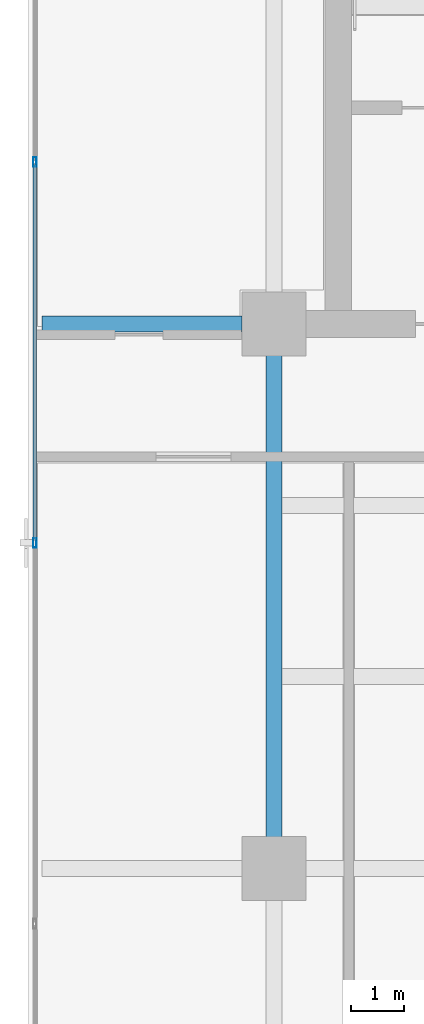
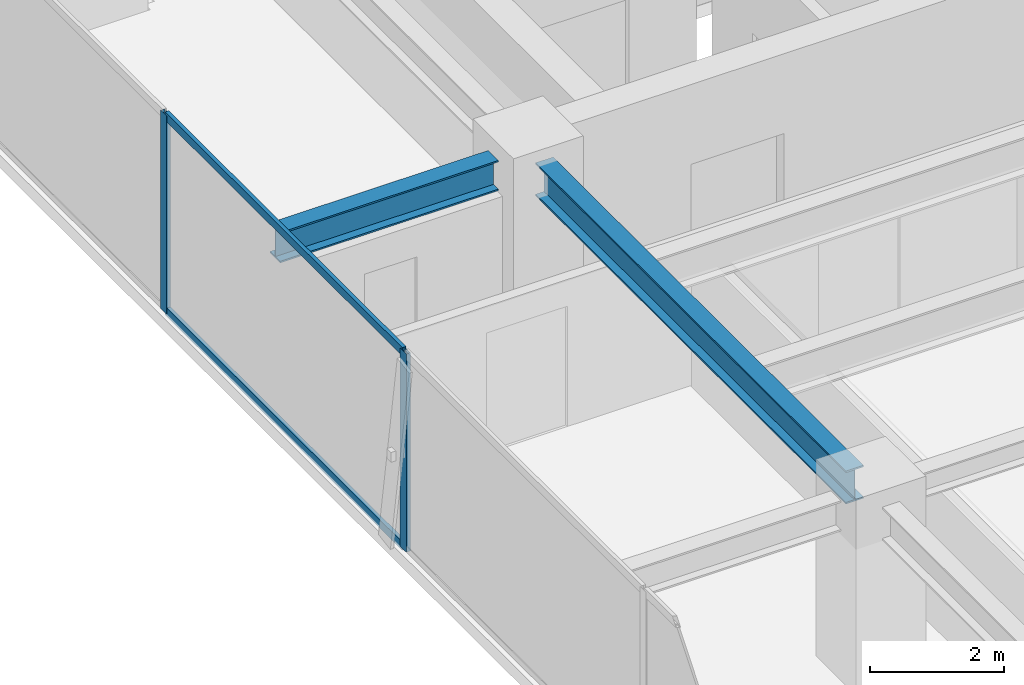
# One storey, part 6 of 21: 4 members, 2 beams, 1 element without a shape of its own.
"""IFC4 building model written with IfcOpenShell, lengths in metres."""

from ifc_helpers import new_model, si_unit, direction, frame, origin, origin_2d, place, context, subcontext, project, spatial, hollow_rectangle, i_section, extrude, source, transform, mapped, material, layer, layer_set, material_profile, profile_set, type_object, element, aggregate, save


model = new_model("IFC4")

# Units and contexts
model_context = context("Model", 3, precision=1e-05, world=origin(), true_north=direction((0.0, 1.0)))
body_context = subcontext(model_context, "Body", "Model", "MODEL_VIEW")
ifc_project = project(units=[si_unit("LENGTHUNIT", "METRE"), si_unit("AREAUNIT", "SQUARE_METRE"), si_unit("VOLUMEUNIT", "CUBIC_METRE"), si_unit("PLANEANGLEUNIT", "RADIAN"), si_unit("MASSUNIT", "GRAM", prefix="KILO")], contexts=[model_context])

# Site, building, storey
site_placement = place(None, origin())
site = spatial("IfcSite", under=ifc_project, at=site_placement, CompositionType="ELEMENT")
building_placement = place(site_placement, origin())
building = spatial("IfcBuilding", under=site, at=building_placement, Name="Sumidabori Civic Tower", CompositionType="ELEMENT")
storey_placement = place(building_placement, frame((0.0, 0.0, 290.0)))
storey = spatial("IfcBuildingStorey", under=building, at=storey_placement, Name="L76", CompositionType="ELEMENT", Elevation=290.0)

# Beams
ifc_material_1 = material(Name="Steel SN490", Category="steel")
ifc_material_profile_1 = material_profile(ifc_material_1, i_section(OverallWidth=0.300048828125, OverallDepth=0.60009765625, WebThickness=0.015380859375, FlangeThickness=0.030029296875, at=origin_2d()), Name="HE 600 B")
ifc_profile_set_1 = profile_set([ifc_material_profile_1], Name="Steel SN490")
beam_type_1 = type_object("IfcBeamType", Name="BM-GIRD-600", PredefinedType="BEAM", material=ifc_profile_set_1)
shared_shape_1 = source(origin(), body_context, "Body", "SweptSolid", [
    extrude(i_section(OverallWidth=0.300048828125, OverallDepth=0.60009765625, WebThickness=0.015380859375, FlangeThickness=0.030029296875, at=origin_2d()), origin(), (0.0, 0.0, 1.0), 9.239990234375),
])
beam_1_placement = place(storey_placement, frame((-16.800048828125, 0.47998046875, 3.0), z_axis=(0.0, 1.0, 0.0), x_axis=(-1.0, 0.0, 0.0)))
element("IfcBeam", 1, at=beam_1_placement, inside=storey, type_object=beam_type_1, Name="Primary Girder L76 GY-10", PredefinedType="BEAM", context=body_context, shape_type="MappedRepresentation", body=[
    mapped(shared_shape_1, transform((0.0, 0.0, 0.0), x_axis=(1.0, 0.0, 0.0), y_axis=(0.0, 1.0, 0.0), z_axis=(0.0, 0.0, 1.0), scale=1.0)),
])
ifc_material_profile_2 = material_profile(ifc_material_1, i_section(OverallWidth=0.300048828125, OverallDepth=0.550048828125, WebThickness=0.014892578125, FlangeThickness=0.029052734375, at=origin_2d()), Name="HE 550 B")
ifc_profile_set_2 = profile_set([ifc_material_profile_2], Name="Steel SN490")
beam_type_2 = type_object("IfcBeamType", Name="BM-Z4-EDGE", PredefinedType="SPANDREL", material=ifc_profile_set_2)
shared_shape_2 = source(origin(), body_context, "Body", "SweptSolid", [
    extrude(i_section(OverallWidth=0.300048828125, OverallDepth=0.550048828125, WebThickness=0.014892578125, FlangeThickness=0.029052734375, at=origin_2d()), origin(), (0.0, 0.0, 1.0), 3.75),
])
beam_2_placement = place(storey_placement, frame((-21.14990234375, 10.199951171875, 3.02490234375), z_axis=(1.0, 0.0, 0.0), x_axis=(0.0, 1.0, 0.0)))
element("IfcBeam", 2, at=beam_2_placement, inside=storey, type_object=beam_type_2, Name="Perimeter Overhang Beam L76 W-21", PredefinedType="SPANDREL", context=body_context, shape_type="MappedRepresentation", body=[
    mapped(shared_shape_2, transform((0.0, 0.0, 0.0), x_axis=(1.0, 0.0, 0.0), y_axis=(0.0, 1.0, 0.0), z_axis=(0.0, 0.0, 1.0), scale=1.0)),
])

# Curtain wall, members
ifc_material_2 = material(Name="Anodised Bronze Aluminium AW-6063-T6", Category="aluminium")
ifc_layer = layer(ifc_material_2, 0.179931640625, Name="Anodised Bronze Aluminium AW-6063-T6")
ifc_layer_set = layer_set([ifc_layer], Name="Anodised Bronze Aluminium AW-6063-T6")
curtain_wall_type = type_object("IfcCurtainWallType", Name="CW-SYS-6", PredefinedType="NOTDEFINED", material=ifc_layer_set)
curtain_wall_placement = place(storey_placement, origin())
curtain_wall = element("IfcCurtainWall", 3, at=curtain_wall_placement, inside=storey, type_object=curtain_wall_type, Name="Curtain Wall CW:L76:R10", PredefinedType="NOTDEFINED")
ifc_material_profile_3 = material_profile(ifc_material_2, hollow_rectangle(XDim=0.06494140625, YDim=0.14990234375, WallThickness=0.0048828125, at=origin_2d()), Name="ALU TRANSOM 150x65")
ifc_profile_set_3 = profile_set([ifc_material_profile_3], Name="Anodised Bronze Aluminium AW-6063-T6")
member_type_1 = type_object("IfcMemberType", Name="CW-TRN-150", PredefinedType="USERDEFINED", material=ifc_profile_set_3)
shared_shape_3 = source(origin(), body_context, "Body", "SweptSolid", [
    extrude(hollow_rectangle(XDim=0.06494140625, YDim=0.14990234375, WallThickness=0.0048828125, at=origin_2d()), origin(), (0.0, 0.0, 1.0), 7.06494140625),
])
member_1_placement = place(storey_placement, frame((-21.280029296875, 13.199951171875, 0.032470703125), z_axis=(0.0, -1.0, 0.0), x_axis=(1.0, 0.0, 0.0)))
member_1 = element("IfcMember", 4, at=member_1_placement, type_object=member_type_1, Name="CW-6 transom 2.1", ObjectType="TRANSOM", PredefinedType="USERDEFINED", context=body_context, shape_type="MappedRepresentation", body=[
    mapped(shared_shape_3, transform((0.0, 0.0, 0.0), x_axis=(1.0, 0.0, 0.0), y_axis=(0.0, 1.0, 0.0), z_axis=(0.0, 0.0, 1.0), scale=1.0)),
])
member_2_placement = place(storey_placement, frame((-21.280029296875, 13.199951171875, 3.5673828125), z_axis=(0.0, -1.0, 0.0), x_axis=(1.0, 0.0, 0.0)))
member_2 = element("IfcMember", 5, at=member_2_placement, type_object=member_type_1, Name="CW-6 transom 2.2", ObjectType="TRANSOM", PredefinedType="USERDEFINED", context=body_context, shape_type="MappedRepresentation", body=[
    mapped(shared_shape_3, transform((0.0, 0.0, 0.0), x_axis=(1.0, 0.0, 0.0), y_axis=(0.0, 1.0, 0.0), z_axis=(0.0, 0.0, 1.0), scale=1.0)),
])
ifc_material_profile_4 = material_profile(ifc_material_2, hollow_rectangle(XDim=0.070068359375, YDim=0.179931640625, WallThickness=0.006103515625, at=origin_2d()), Name="ALU MULLION 180x70")
ifc_profile_set_4 = profile_set([ifc_material_profile_4], Name="Anodised Bronze Aluminium AW-6063-T6")
member_type_2 = type_object("IfcMemberType", Name="CW-MUL-180", PredefinedType="MULLION", material=ifc_profile_set_4)
shared_shape_4 = source(origin(), body_context, "Body", "SweptSolid", [
    extrude(hollow_rectangle(XDim=0.070068359375, YDim=0.179931640625, WallThickness=0.006103515625, at=origin_2d()), origin(), (0.0, 0.0, 1.0), 3.60009765625),
])
member_3_placement = place(storey_placement, frame((-21.280029296875, 13.235107421875, 0.0), z_axis=(0.0, 0.0, 1.0), x_axis=(1.0, 0.0, 0.0)))
member_3 = element("IfcMember", 6, at=member_3_placement, type_object=member_type_2, Name="CW-6 mullion 2", PredefinedType="MULLION", context=body_context, shape_type="MappedRepresentation", body=[
    mapped(shared_shape_4, transform((0.0, 0.0, 0.0), x_axis=(1.0, 0.0, 0.0), y_axis=(0.0, 1.0, 0.0), z_axis=(0.0, 0.0, 1.0), scale=1.0)),
])
member_4_placement = place(storey_placement, frame((-21.280029296875, 6.10009765625, 0.0), z_axis=(0.0, 0.0, 1.0), x_axis=(1.0, 0.0, 0.0)))
member_4 = element("IfcMember", 7, at=member_4_placement, type_object=member_type_2, Name="CW-6 mullion 3", PredefinedType="MULLION", context=body_context, shape_type="MappedRepresentation", body=[
    mapped(shared_shape_4, transform((0.0, 0.0, 0.0), x_axis=(1.0, 0.0, 0.0), y_axis=(0.0, 1.0, 0.0), z_axis=(0.0, 0.0, 1.0), scale=1.0)),
])
aggregate(curtain_wall, [member_3, member_4, member_1, member_2])

save(model, "model.ifc")
